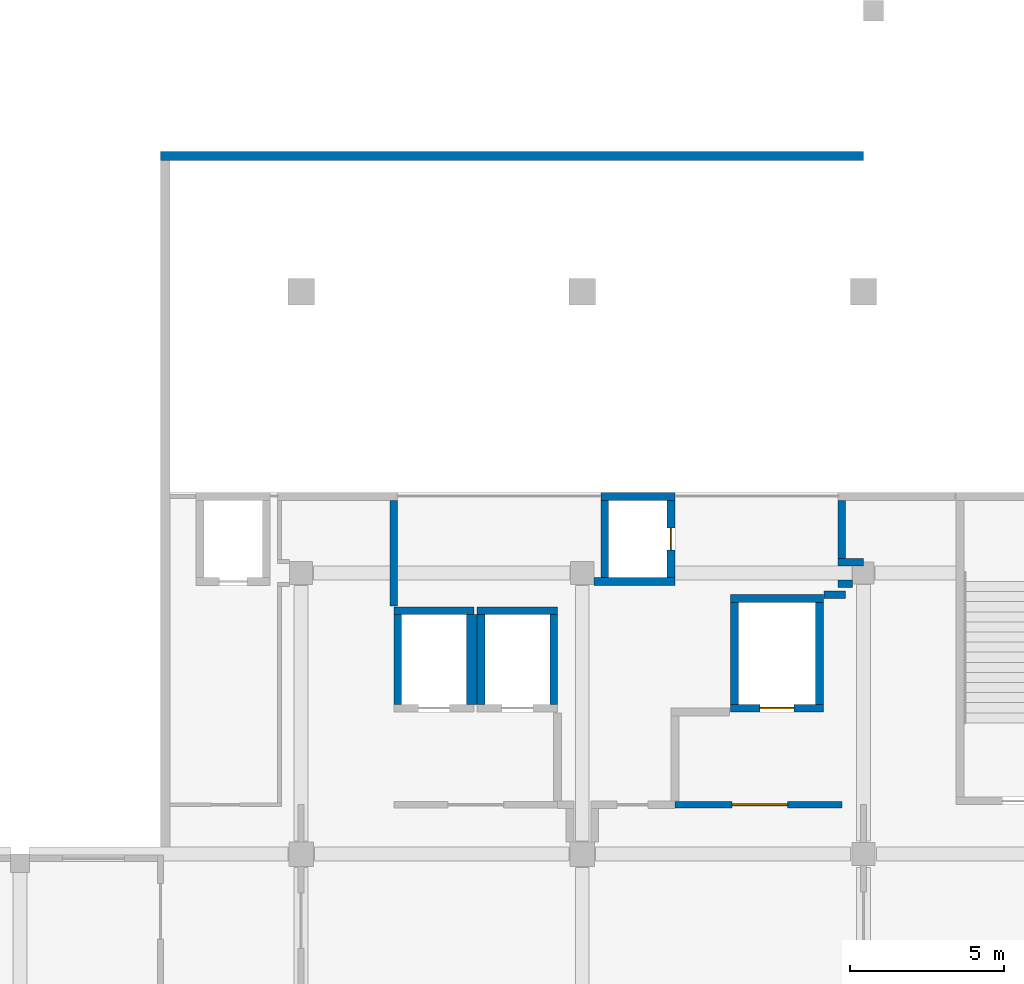
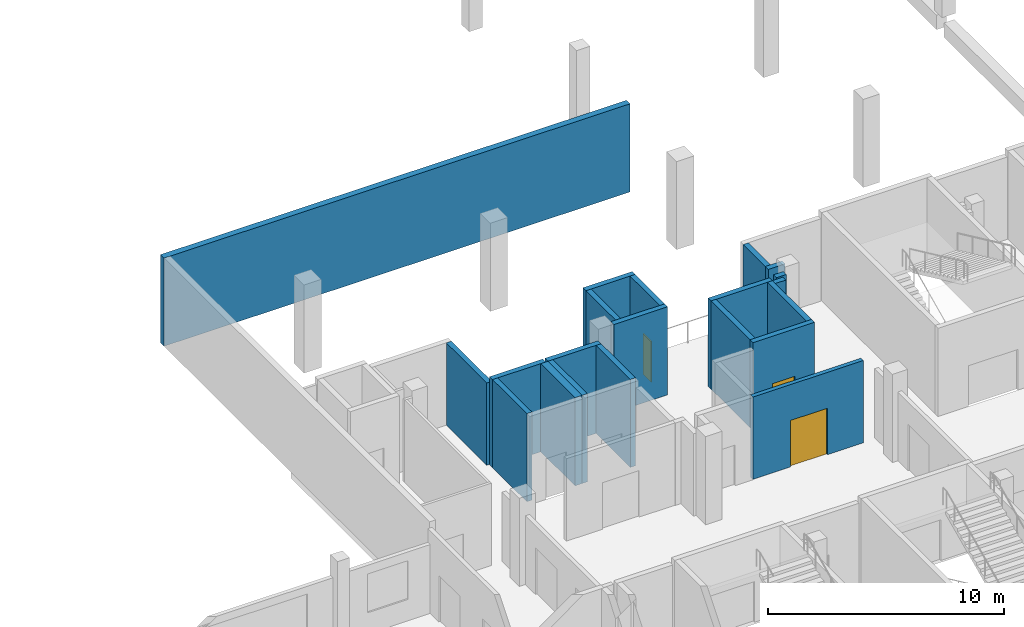
# One storey, part 59 of 104: 21 walls, 3 doors, 3 openings.
"""IFC4 building model written with IfcOpenShell, lengths in metres."""

from ifc_helpers import new_model, si_unit, direction, frame, frame_2d, origin, place, context, subcontext, project, spatial, rectangle, extrude, material, layer, layer_set, type_object, element, fill, save


model = new_model("IFC4")

# Units and contexts
model_context = context("Model", 3, precision=1e-05, world=origin(), true_north=direction((0.0, 1.0)))
body_context = subcontext(model_context, "Body", "Model", "MODEL_VIEW")
ifc_project = project(units=[si_unit("LENGTHUNIT", "METRE"), si_unit("AREAUNIT", "SQUARE_METRE"), si_unit("VOLUMEUNIT", "CUBIC_METRE"), si_unit("PLANEANGLEUNIT", "RADIAN"), si_unit("MASSUNIT", "GRAM", prefix="KILO")], contexts=[model_context])

# Site, building, storey
site_placement = place(None, origin())
site = spatial("IfcSite", under=ifc_project, at=site_placement, CompositionType="ELEMENT")
building_placement = place(site_placement, origin())
building = spatial("IfcBuilding", under=site, at=building_placement, Name="Shirokan Park Arena", CompositionType="ELEMENT")
storey_placement = place(building_placement, frame((0.0, 0.0, 10.919921875)))
storey = spatial("IfcBuildingStorey", under=building, at=storey_placement, Name="L02", CompositionType="ELEMENT", Elevation=10.919921875)

# Walls
ifc_material_1 = material(Name="Plaster")
ifc_layer_1 = layer(ifc_material_1, 0.014892578125, Name="Plaster")
ifc_material_2 = material(Name="Concrete blockwork", Category="masonry")
ifc_layer_2 = layer(ifc_material_2, 0.219970703125, Name="Concrete blockwork 220")
ifc_layer_3 = layer(ifc_material_1, 0.014892578125, Name="Plaster")
ifc_layer_set_1 = layer_set([ifc_layer_1, ifc_layer_2, ifc_layer_3], Name="Plaster + Concrete blockwork 220")
wall_type_1 = type_object("IfcWallType", Name="Compartment wall 250", PredefinedType="SOLIDWALL", material=ifc_layer_set_1)
wall_1_placement = place(storey_placement, frame((112.199951171875, 26.22998046875, 0.0), z_axis=(0.0, 0.0, 1.0), x_axis=(0.0, 1.0, 0.0)))
element("IfcWall", 1, at=wall_1_placement, inside=storey, type_object=wall_type_1, Name="Compartment wall 250 L02", PredefinedType="SOLIDWALL", context=body_context, shape_type="SweptSolid", body=[
    extrude(rectangle(XDim=3.419921875, YDim=0.25, at=frame_2d((1.7099609375, 0.0))), origin(), (0.0, 0.0, 1.0), 4.25),
])
wall_2_placement = place(storey_placement, frame((126.574951171875, 26.949951171875, 0.0), z_axis=(0.0, 0.0, 1.0), x_axis=(1.0, 0.0, 0.0)))
element("IfcWall", 2, at=wall_2_placement, inside=storey, type_object=wall_type_1, Name="Compartment wall 250 L02", PredefinedType="SOLIDWALL", context=body_context, shape_type="SweptSolid", body=[
    extrude(rectangle(XDim=0.47509765625, YDim=0.25, at=frame_2d((0.237548828125, 0.0))), origin(), (0.0, 0.0, 1.0), 4.25),
])
wall_3_placement = place(storey_placement, frame((126.574951171875, 27.64990234375, 0.0), z_axis=(0.0, 0.0, 1.0), x_axis=(1.0, 0.0, 0.0)))
element("IfcWall", 3, at=wall_3_placement, inside=storey, type_object=wall_type_1, Name="Compartment wall 250 L02", PredefinedType="SOLIDWALL", context=body_context, shape_type="SweptSolid", body=[
    extrude(rectangle(XDim=0.824951171875, YDim=0.25, at=frame_2d((0.41259765625, 0.0))), origin(), (0.0, 0.0, 1.0), 4.25),
])
wall_4_placement = place(storey_placement, frame((126.699951171875, 27.77490234375, 0.0), z_axis=(0.0, 0.0, 1.0), x_axis=(0.0, 1.0, 0.0)))
element("IfcWall", 4, at=wall_4_placement, inside=storey, type_object=wall_type_1, Name="Compartment wall 250 L02", PredefinedType="SOLIDWALL", context=body_context, shape_type="SweptSolid", body=[
    extrude(rectangle(XDim=1.875, YDim=0.25, at=frame_2d((0.9375, 0.0))), origin(), (0.0, 0.0, 1.0), 4.25),
])
wall_5_placement = place(storey_placement, frame((126.824951171875, 26.60009765625, 0.0), z_axis=(0.0, 0.0, 1.0), x_axis=(-1.0, 0.0, 0.0)))
element("IfcWall", 5, at=wall_5_placement, inside=storey, type_object=wall_type_1, Name="Compartment wall 250 L02", PredefinedType="SOLIDWALL", context=body_context, shape_type="SweptSolid", body=[
    extrude(rectangle(XDim=0.695068359375, YDim=0.25, at=frame_2d((0.34765625, 0.0))), origin(), (0.0, 0.0, 1.0), 4.25),
])

# Wall, opening, door
ifc_material_3 = material(Name="Gypsum board")
ifc_layer_4 = layer(ifc_material_3, 0.02490234375, Name="Gypsum board, two layers")
ifc_material_4 = material(Name="Mineral wool insulation")
ifc_layer_5 = layer(ifc_material_4, 0.14990234375, Name="Mineral wool insulation")
ifc_layer_6 = layer(ifc_material_3, 0.02490234375, Name="Gypsum board, two layers")
ifc_layer_set_2 = layer_set([ifc_layer_4, ifc_layer_5, ifc_layer_6], Name="Gypsum board, two layers + Mineral wool insulation")
wall_type_2 = type_object("IfcWallType", Name="Corridor wall 200", PredefinedType="PARTITIONING", material=ifc_layer_set_2)
wall_6_placement = place(storey_placement, frame((121.300048828125, 19.800048828125, 0.0), z_axis=(0.0, 0.0, 1.0), x_axis=(1.0, 0.0, 0.0)))
wall_6 = element("IfcWall", 6, at=wall_6_placement, inside=storey, type_object=wall_type_2, Name="Corridor wall 200 L02", PredefinedType="PARTITIONING", context=body_context, shape_type="SweptSolid", body=[
    extrude(rectangle(XDim=5.39990234375, YDim=0.199951171875, at=frame_2d((2.699951171875, 0.0))), origin(), (0.0, 0.0, 1.0), 4.25),
])
opening_1_placement = place(wall_6_placement, frame((1.85009765625, 0.0, 0.0)))
opening_1 = element("IfcOpeningElement", 7, at=opening_1_placement, cuts=wall_6, Name="Opening D-2060", PredefinedType="OPENING", context=body_context, shape_type="SweptSolid", body=[
    extrude(rectangle(XDim=1.800048828125, YDim=2.39990234375, at=frame_2d((0.89990234375, 1.199951171875))), frame((0.0, 0.10986328125, 0.0), z_axis=(0.0, -1.0, 0.0), x_axis=(1.0, 0.0, 0.0)), (0.0, 0.0, 1.0), 0.219970703125),
])
ifc_material_5 = material(Name="Glazed steel door set, fire resisting", Category="steel")
door_type_1 = type_object("IfcDoorType", Name="Lift lobby door 1800 x 2400", OperationType="DOUBLE_DOOR_SINGLE_SWING", PredefinedType="DOOR", material=ifc_material_5)
door_1_placement = place(opening_1_placement, origin())
door_1 = element("IfcDoor", 8, at=door_1_placement, inside=storey, type_object=door_type_1, Name="Door between Club Gallery 2.2.2 and Service Lift Lobby 2.2 D-2060", OperationType="DOUBLE_DOOR_SINGLE_SWING", OverallHeight=2.39990234375, OverallWidth=1.800048828125, PredefinedType="DOOR", context=body_context, shape_type="SweptSolid", body=[
    extrude(rectangle(XDim=1.800048828125, YDim=2.39990234375, at=frame_2d((0.89990234375, 1.199951171875))), frame((0.0, 0.02490234375, 0.0), z_axis=(0.0, -1.0, 0.0), x_axis=(1.0, 0.0, 0.0)), (0.0, 0.0, 1.0), 0.050048828125),
])
fill(opening_1, door_1)

# Walls
ifc_material_6 = material(Name="Concrete C35", Category="concrete")
ifc_layer_7 = layer(ifc_material_6, 0.300048828125)
ifc_layer_set_3 = layer_set([ifc_layer_7], Name="Concrete C35 300 mm")
wall_type_3 = type_object("IfcWallType", Name="RC flank wall 300", PredefinedType="SHEAR", material=ifc_layer_set_3)
wall_7_placement = place(storey_placement, frame((104.64990234375, 40.800048828125, 0.0), z_axis=(0.0, 0.0, 1.0), x_axis=(1.0, 0.0, 0.0)))
element("IfcWall", 9, at=wall_7_placement, inside=storey, type_object=wall_type_3, Name="Flank wall E1 L02", PredefinedType="SHEAR", context=body_context, shape_type="SweptSolid", body=[
    extrude(rectangle(XDim=22.75, YDim=0.300048828125, at=frame_2d((11.375, 0.0))), origin(), (0.0, 0.0, 1.0), 4.550048828125),
])
ifc_material_7 = material(Name="Concrete C40/50", Category="concrete")
ifc_layer_8 = layer(ifc_material_7, 0.25)
ifc_layer_set_4 = layer_set([ifc_layer_8], Name="Concrete C40/50 250 mm")
wall_type_4 = type_object("IfcWallType", Name="RC shear wall 250", PredefinedType="SHEAR", material=ifc_layer_set_4)
wall_8_placement = place(storey_placement, frame((117.5, 26.074951171875, 0.0), z_axis=(0.0, 0.0, 1.0), x_axis=(-1.0, 0.0, 0.0)))
element("IfcWall", 10, at=wall_8_placement, inside=storey, type_object=wall_type_4, Name="Shaft wall Passenger Lift 2.1 N L02", PredefinedType="SHEAR", context=body_context, shape_type="SweptSolid", body=[
    extrude(rectangle(XDim=2.60009765625, YDim=0.25, at=frame_2d((1.300048828125, 0.0))), origin(), (0.0, 0.0, 1.0), 4.550048828125),
])
for number, where, z_axis, x_axis, name in (
    (11, (115.02490234375, 25.949951171875, 0.0), (0.0, 0.0, 1.0), (0.0, -1.0, 0.0), "Shaft wall Passenger Lift 2.1 W L02"),
    (12, (117.375, 25.949951171875, 0.0), (0.0, 0.0, 1.0), (0.0, -1.0, 0.0), "Shaft wall Passenger Lift 2.1 E L02"),
):
    element("IfcWall", number, at=place(storey_placement, frame(where, z_axis=z_axis, x_axis=x_axis)), inside=storey, type_object=wall_type_4, Name=name, PredefinedType="SHEAR", context=body_context, shape_type="SweptSolid", body=[
        extrude(rectangle(XDim=2.89990234375, YDim=0.25, at=frame_2d((1.449951171875, 0.0))), origin(), (0.0, 0.0, 1.0), 4.550048828125),
    ])
wall_9_placement = place(storey_placement, frame((114.800048828125, 26.074951171875, 0.0), z_axis=(0.0, 0.0, 1.0), x_axis=(-1.0, 0.0, 0.0)))
element("IfcWall", 13, at=wall_9_placement, inside=storey, type_object=wall_type_4, Name="Shaft wall Passenger Lift 2.2 N L02", PredefinedType="SHEAR", context=body_context, shape_type="SweptSolid", body=[
    extrude(rectangle(XDim=2.60009765625, YDim=0.25, at=frame_2d((1.300048828125, 0.0))), origin(), (0.0, 0.0, 1.0), 4.550048828125),
])
wall_10_placement = place(storey_placement, frame((112.324951171875, 25.949951171875, 0.0), z_axis=(0.0, 0.0, 1.0), x_axis=(0.0, -1.0, 0.0)))
element("IfcWall", 14, at=wall_10_placement, inside=storey, type_object=wall_type_4, Name="Shaft wall Passenger Lift 2.2 W L02", PredefinedType="SHEAR", context=body_context, shape_type="SweptSolid", body=[
    extrude(rectangle(XDim=2.89990234375, YDim=0.25, at=frame_2d((1.449951171875, 0.0))), origin(), (0.0, 0.0, 1.0), 4.550048828125),
])
wall_11_placement = place(storey_placement, frame((121.300048828125, 27.02490234375, 0.0), z_axis=(0.0, 0.0, 1.0), x_axis=(-1.0, 0.0, 0.0)))
element("IfcWall", 15, at=wall_11_placement, inside=storey, type_object=wall_type_4, Name="Shaft wall Services Riser 2.2 S L02", PredefinedType="SHEAR", context=body_context, shape_type="SweptSolid", body=[
    extrude(rectangle(XDim=2.625, YDim=0.25, at=frame_2d((1.3125, 0.0))), origin(), (0.0, 0.0, 1.0), 4.550048828125),
])
wall_12_placement = place(storey_placement, frame((121.300048828125, 29.77490234375, 0.0), z_axis=(0.0, 0.0, 1.0), x_axis=(-1.0, 0.0, 0.0)))
element("IfcWall", 16, at=wall_12_placement, inside=storey, type_object=wall_type_4, Name="Shaft wall Services Riser 2.2 N L02", PredefinedType="SHEAR", context=body_context, shape_type="SweptSolid", body=[
    extrude(rectangle(XDim=2.400146484375, YDim=0.25, at=frame_2d((1.2001953125, 0.0))), origin(), (0.0, 0.0, 1.0), 4.550048828125),
])
wall_13_placement = place(storey_placement, frame((119.02490234375, 29.64990234375, 0.0), z_axis=(0.0, 0.0, 1.0), x_axis=(0.0, -1.0, 0.0)))
element("IfcWall", 17, at=wall_13_placement, inside=storey, type_object=wall_type_4, Name="Shaft wall Services Riser 2.2 W L02", PredefinedType="SHEAR", context=body_context, shape_type="SweptSolid", body=[
    extrude(rectangle(XDim=2.5, YDim=0.25, at=frame_2d((1.25, 0.0))), origin(), (0.0, 0.0, 1.0), 4.550048828125),
])

# Wall, opening, door
wall_14_placement = place(storey_placement, frame((121.175048828125, 29.64990234375, 0.0), z_axis=(0.0, 0.0, 1.0), x_axis=(0.0, -1.0, 0.0)))
wall_14 = element("IfcWall", 18, at=wall_14_placement, inside=storey, type_object=wall_type_4, Name="Shaft wall Services Riser 2.2 E L02", PredefinedType="SHEAR", context=body_context, shape_type="SweptSolid", body=[
    extrude(rectangle(XDim=2.5, YDim=0.25, at=frame_2d((1.25, 0.0))), origin(), (0.0, 0.0, 1.0), 4.550048828125),
])
opening_2_placement = place(wall_14_placement, frame((0.89990234375, 0.0, 0.0)))
opening_2 = element("IfcOpeningElement", 19, at=opening_2_placement, cuts=wall_14, Name="Opening D-2086", PredefinedType="OPENING", context=body_context, shape_type="SweptSolid", body=[
    extrude(rectangle(XDim=0.699951171875, YDim=2.10009765625, at=frame_2d((0.35009765625, 1.050048828125))), frame((0.0, 0.135009765625, 0.0), z_axis=(0.0, -1.0, 0.0), x_axis=(1.0, 0.0, 0.0)), (0.0, 0.0, 1.0), 0.27001953125),
])
ifc_material_8 = material(Name="Steel door set, fire resisting", Category="steel")
door_type_2 = type_object("IfcDoorType", Name="Mechanical riser door 700 x 2100", OperationType="SINGLE_SWING_LEFT", PredefinedType="DOOR", material=ifc_material_8)
door_2_placement = place(opening_2_placement, origin())
door_2 = element("IfcDoor", 20, at=door_2_placement, inside=storey, type_object=door_type_2, Name="Riser access door Services Riser 2.2 D-2086", OperationType="SINGLE_SWING_RIGHT", OverallHeight=2.10009765625, OverallWidth=0.699951171875, PredefinedType="DOOR", context=body_context, shape_type="SweptSolid", body=[
    extrude(rectangle(XDim=0.699951171875, YDim=2.10009765625, at=frame_2d((0.35009765625, 1.050048828125))), frame((0.0, 0.02490234375, 0.0), z_axis=(0.0, -1.0, 0.0), x_axis=(1.0, 0.0, 0.0)), (0.0, 0.0, 1.0), 0.050048828125),
])
fill(opening_2, door_2)

wall_15_placement = place(storey_placement, frame((126.10009765625, 22.925048828125, 0.0), z_axis=(0.0, 0.0, 1.0), x_axis=(-1.0, 0.0, 0.0)))
wall_15 = element("IfcWall", 21, at=wall_15_placement, inside=storey, type_object=wall_type_4, Name="Shaft wall Service Lift 2 S L02", PredefinedType="SHEAR", context=body_context, shape_type="SweptSolid", body=[
    extrude(rectangle(XDim=3.0, YDim=0.25, at=frame_2d((1.5, 0.0))), origin(), (0.0, 0.0, 1.0), 4.550048828125),
])
opening_3_placement = place(wall_15_placement, frame((0.949951171875, 0.0, 0.0)))
opening_3 = element("IfcOpeningElement", 22, at=opening_3_placement, cuts=wall_15, Name="Opening LD58", PredefinedType="OPENING", context=body_context, shape_type="SweptSolid", body=[
    extrude(rectangle(XDim=1.10009765625, YDim=2.10009765625, at=frame_2d((0.550048828125, 1.050048828125))), frame((0.0, 0.135009765625, 0.0), z_axis=(0.0, -1.0, 0.0), x_axis=(1.0, 0.0, 0.0)), (0.0, 0.0, 1.0), 0.27001953125),
])
ifc_material_9 = material(Name="Stainless steel", Category="steel")
door_type_3 = type_object("IfcDoorType", Name="Lift landing door 1100x2100", OperationType="DOUBLE_DOOR_SLIDING", PredefinedType="DOOR", material=ifc_material_9)
door_3_placement = place(opening_3_placement, origin())
door_3 = element("IfcDoor", 23, at=door_3_placement, inside=storey, type_object=door_type_3, Name="Lift landing door Service Lift 2 L02", OperationType="DOUBLE_DOOR_SLIDING", OverallHeight=2.10009765625, OverallWidth=1.10009765625, PredefinedType="DOOR", context=body_context, shape_type="SweptSolid", body=[
    extrude(rectangle(XDim=1.10009765625, YDim=2.10009765625, at=frame_2d((0.550048828125, 1.050048828125))), frame((0.0, 0.02490234375, 0.0), z_axis=(0.0, -1.0, 0.0), x_axis=(1.0, 0.0, 0.0)), (0.0, 0.0, 1.0), 0.050048828125),
])
fill(opening_3, door_3)

# Walls
wall_16_placement = place(storey_placement, frame((126.10009765625, 26.47509765625, 0.0), z_axis=(0.0, 0.0, 1.0), x_axis=(-1.0, 0.0, 0.0)))
element("IfcWall", 24, at=wall_16_placement, inside=storey, type_object=wall_type_4, Name="Shaft wall Service Lift 2 N L02", PredefinedType="SHEAR", context=body_context, shape_type="SweptSolid", body=[
    extrude(rectangle(XDim=3.0, YDim=0.25, at=frame_2d((1.5, 0.0))), origin(), (0.0, 0.0, 1.0), 4.550048828125),
])
for number, where, z_axis, x_axis, name in (
    (25, (123.22509765625, 26.35009765625, 0.0), (0.0, 0.0, 1.0), (0.0, -1.0, 0.0), "Shaft wall Service Lift 2 W L02"),
    (26, (125.97509765625, 26.35009765625, 0.0), (0.0, 0.0, 1.0), (0.0, -1.0, 0.0), "Shaft wall Service Lift 2 E L02"),
):
    element("IfcWall", number, at=place(storey_placement, frame(where, z_axis=z_axis, x_axis=x_axis)), inside=storey, type_object=wall_type_4, Name=name, PredefinedType="SHEAR", context=body_context, shape_type="SweptSolid", body=[
        extrude(rectangle(XDim=3.300048828125, YDim=0.25, at=frame_2d((1.64990234375, 0.0))), origin(), (0.0, 0.0, 1.0), 4.550048828125),
    ])
ifc_layer_9 = layer(ifc_material_7, 0.35009765625)
ifc_layer_set_5 = layer_set([ifc_layer_9], Name="Concrete C40/50 350 mm")
wall_type_5 = type_object("IfcWallType", Name="RC shear wall 350", PredefinedType="SHEAR", material=ifc_layer_set_5)
wall_17_placement = place(storey_placement, frame((114.72509765625, 25.949951171875, 0.0), z_axis=(0.0, 0.0, 1.0), x_axis=(0.0, -1.0, 0.0)))
element("IfcWall", 27, at=wall_17_placement, inside=storey, type_object=wall_type_5, Name="Shaft wall Passenger Lift 2.2 E L02", PredefinedType="SHEAR", context=body_context, shape_type="SweptSolid", body=[
    extrude(rectangle(XDim=2.89990234375, YDim=0.35009765625, at=frame_2d((1.449951171875, 0.0))), origin(), (0.0, 0.0, 1.0), 4.550048828125),
])

save(model, "model.ifc")
